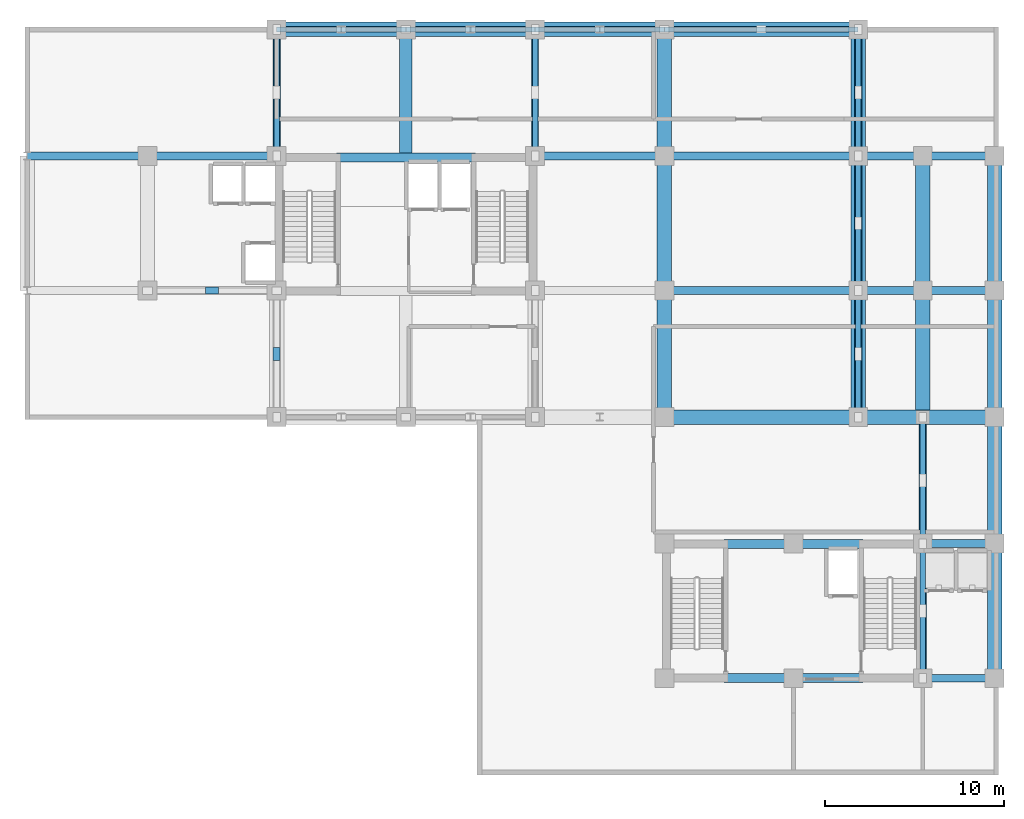
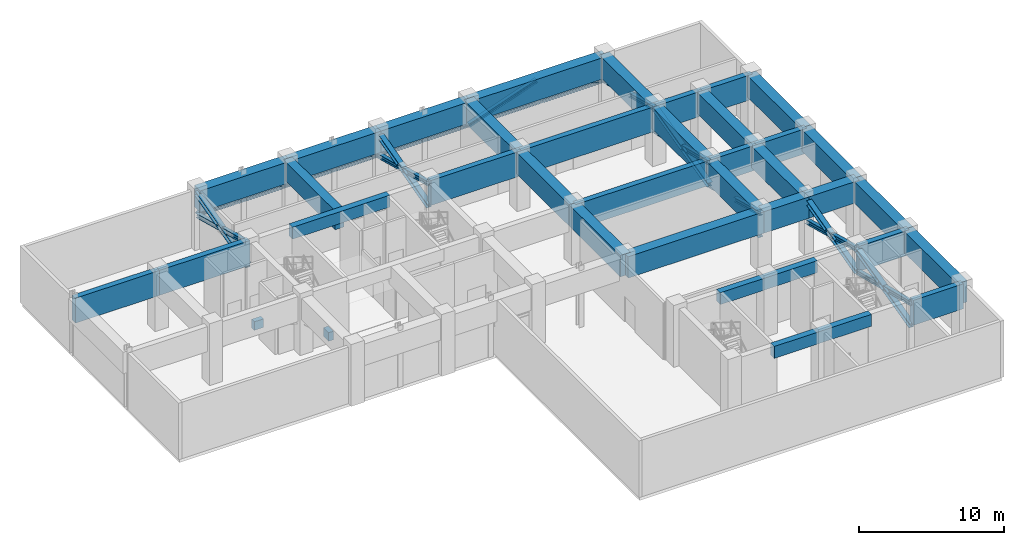
# One storey, part 3 of 10: 34 beams, 33 members, 2 plates.
"""IFC4 building model written with IfcOpenShell, lengths in metres."""

from ifc_helpers import new_model, si_unit, direction, frame, origin, origin_2d, place, context, subcontext, project, spatial, rectangle, i_section, extrude, source, transform, mapped, material, layer, layer_set, material_profile, profile_set, type_object, element, save


model = new_model("IFC4")

# Units and contexts
model_context = context("Model", 3, precision=1e-05, world=origin(), true_north=direction((0.0, 1.0)))
body_context = subcontext(model_context, "Body", "Model", "MODEL_VIEW")
ifc_project = project(units=[si_unit("LENGTHUNIT", "METRE"), si_unit("AREAUNIT", "SQUARE_METRE"), si_unit("VOLUMEUNIT", "CUBIC_METRE"), si_unit("PLANEANGLEUNIT", "RADIAN"), si_unit("MASSUNIT", "GRAM", prefix="KILO")], contexts=[model_context])

# Site, building, storey
site_placement = place(None, origin())
site = spatial("IfcSite", under=ifc_project, at=site_placement, CompositionType="ELEMENT")
building_placement = place(site_placement, origin())
building = spatial("IfcBuilding", under=site, at=building_placement, Name="Kaliganga Portal Commons", CompositionType="ELEMENT")
storey_placement = place(building_placement, frame((0.0, 0.0, 192.0)))
storey = spatial("IfcBuildingStorey", under=building, at=storey_placement, Name="L49", CompositionType="ELEMENT", Elevation=192.0)

# Beams
ifc_material_1 = material(Name="Concrete C50/60", Category="concrete")
ifc_material_profile_1 = material_profile(ifc_material_1, rectangle(XDim=0.5, YDim=1.0, at=origin_2d()), Name="RC 500x1000")
ifc_profile_set_1 = profile_set([ifc_material_profile_1], Name="Concrete C50/60")
beam_type_1 = type_object("IfcBeamType", Name="BM-CPL-1000", PredefinedType="LINTEL", material=ifc_profile_set_1)
shared_shape_1 = source(origin(), body_context, "Body", "SweptSolid", [
    extrude(rectangle(XDim=0.5, YDim=1.0, at=origin_2d()), origin(), (0.0, 0.0, 1.0), 7.739990234375),
])
for number, where, z_axis, x_axis, name in (
    (1, (17.72998046875, 36.074951171875, 4.280029296875), (1.0, 0.0, 0.0), (0.0, 1.0, 0.0), "BM CPL COREA L49 N"),
    (2, (39.330078125, 7.074951171875, 4.280029296875), (1.0, 0.0, 0.0), (0.0, 1.0, 0.0), "BM CPL COREB L49 S"),
    (3, (39.330078125, 14.52490234375, 4.280029296875), (1.0, 0.0, 0.0), (0.0, 1.0, 0.0), "BM CPL COREB L49 N"),
):
    element("IfcBeam", number, at=place(storey_placement, frame(where, z_axis=z_axis, x_axis=x_axis)), inside=storey, type_object=beam_type_1, Name=name, PredefinedType="LINTEL", context=body_context, shape_type="MappedRepresentation", body=[
        mapped(shared_shape_1, transform((0.0, 0.0, 0.0), x_axis=(1.0, 0.0, 0.0), y_axis=(0.0, 1.0, 0.0), z_axis=(0.0, 0.0, 1.0), scale=1.0)),
    ])
ifc_material_2 = material(Name="Concrete C70/85", Category="concrete")
ifc_material_profile_2 = material_profile(ifc_material_2, rectangle(XDim=0.800048828125, YDim=1.800048828125, at=origin_2d()), Name="RC 800x1800")
ifc_profile_set_2 = profile_set([ifc_material_profile_2], Name="Concrete C70/85")
beam_type_2 = type_object("IfcBeamType", Name="BM-XFER-1800", PredefinedType="T_BEAM", material=ifc_profile_set_2)
shared_shape_2 = source(origin(), body_context, "Body", "SweptSolid", [
    extrude(rectangle(XDim=0.800048828125, YDim=1.800048828125, at=origin_2d()), origin(), (0.0, 0.0, 1.0), 7.2001953125),
])
beam_1_placement = place(storey_placement, frame((14.39990234375, 43.199951171875, 3.8798828125), z_axis=(1.0, 0.0, 0.0), x_axis=(0.0, 1.0, 0.0)))
element("IfcBeam", 4, at=beam_1_placement, inside=storey, type_object=beam_type_2, Name="Transfer Girder BM XFER L49 AN 1", PredefinedType="T_BEAM", context=body_context, shape_type="MappedRepresentation", body=[
    mapped(shared_shape_2, transform((0.0, 0.0, 0.0), x_axis=(1.0, 0.0, 0.0), y_axis=(0.0, 1.0, 0.0), z_axis=(0.0, 0.0, 1.0), scale=1.0)),
])
shared_shape_3 = source(origin(), body_context, "Body", "SweptSolid", [
    extrude(rectangle(XDim=0.800048828125, YDim=1.800048828125, at=origin_2d()), origin(), (0.0, 0.0, 1.0), 7.199951171875),
])
for number, where, z_axis, x_axis, name in (
    (5, (21.60009765625, 43.199951171875, 3.8798828125), (1.0, 0.0, 0.0), (0.0, 1.0, 0.0), "Transfer Girder BM XFER L49 AN 2"),
    (6, (28.800048828125, 43.199951171875, 3.8798828125), (1.0, 0.0, 0.0), (0.0, 1.0, 0.0), "Transfer Girder BM XFER L49 AN 3"),
):
    element("IfcBeam", number, at=place(storey_placement, frame(where, z_axis=z_axis, x_axis=x_axis)), inside=storey, type_object=beam_type_2, Name=name, PredefinedType="T_BEAM", context=body_context, shape_type="MappedRepresentation", body=[
        mapped(shared_shape_3, transform((0.0, 0.0, 0.0), x_axis=(1.0, 0.0, 0.0), y_axis=(0.0, 1.0, 0.0), z_axis=(0.0, 0.0, 1.0), scale=1.0)),
    ])
shared_shape_4 = source(origin(), body_context, "Body", "SweptSolid", [
    extrude(rectangle(XDim=0.800048828125, YDim=1.800048828125, at=origin_2d()), origin(), (0.0, 0.0, 1.0), 10.800048828125),
])
for number, where, z_axis, x_axis, name in (
    (7, (36.0, 43.199951171875, 3.8798828125), (1.0, 0.0, 0.0), (0.0, 1.0, 0.0), "Transfer Girder BM XFER L49 AN 4"),
    (8, (36.0, 21.60009765625, 3.8798828125), (1.0, 0.0, 0.0), (0.0, 1.0, 0.0), "Transfer Girder BM XFER L49 ASE 1"),
):
    element("IfcBeam", number, at=place(storey_placement, frame(where, z_axis=z_axis, x_axis=x_axis)), inside=storey, type_object=beam_type_2, Name=name, PredefinedType="T_BEAM", context=body_context, shape_type="MappedRepresentation", body=[
        mapped(shared_shape_4, transform((0.0, 0.0, 0.0), x_axis=(1.0, 0.0, 0.0), y_axis=(0.0, 1.0, 0.0), z_axis=(0.0, 0.0, 1.0), scale=1.0)),
    ])
shared_shape_5 = source(origin(), body_context, "Body", "SweptSolid", [
    extrude(rectangle(XDim=0.800048828125, YDim=1.800048828125, at=origin_2d()), origin(), (0.0, 0.0, 1.0), 3.599853515625),
])
beam_2_placement = place(storey_placement, frame((46.800048828125, 21.60009765625, 3.8798828125), z_axis=(1.0, 0.0, 0.0), x_axis=(0.0, 1.0, 0.0)))
element("IfcBeam", 9, at=beam_2_placement, inside=storey, type_object=beam_type_2, Name="Transfer Girder BM XFER L49 ASE 2", PredefinedType="T_BEAM", context=body_context, shape_type="MappedRepresentation", body=[
    mapped(shared_shape_5, transform((0.0, 0.0, 0.0), x_axis=(1.0, 0.0, 0.0), y_axis=(0.0, 1.0, 0.0), z_axis=(0.0, 0.0, 1.0), scale=1.0)),
])
shared_shape_6 = source(origin(), body_context, "Body", "SweptSolid", [
    extrude(rectangle(XDim=0.800048828125, YDim=1.800048828125, at=origin_2d()), origin(), (0.0, 0.0, 1.0), 4.0),
])
beam_3_placement = place(storey_placement, frame((50.39990234375, 21.60009765625, 3.8798828125), z_axis=(1.0, 0.0, 0.0), x_axis=(0.0, 1.0, 0.0)))
element("IfcBeam", 10, at=beam_3_placement, inside=storey, type_object=beam_type_2, Name="Transfer Girder BM XFER L49 ASE 3", PredefinedType="T_BEAM", context=body_context, shape_type="MappedRepresentation", body=[
    mapped(shared_shape_6, transform((0.0, 0.0, 0.0), x_axis=(1.0, 0.0, 0.0), y_axis=(0.0, 1.0, 0.0), z_axis=(0.0, 0.0, 1.0), scale=1.0)),
])
ifc_material_profile_3 = material_profile(ifc_material_2, rectangle(XDim=0.43994140625, YDim=2.10009765625, at=origin_2d()), Name="RC 440x2100")
ifc_profile_set_3 = profile_set([ifc_material_profile_3], Name="Concrete C70/85")
beam_type_3 = type_object("IfcBeamType", Name="BM-XFER-SLIM", PredefinedType="T_BEAM", material=ifc_profile_set_3)
shared_shape_7 = source(origin(), body_context, "Body", "SweptSolid", [
    extrude(rectangle(XDim=0.43994140625, YDim=2.10009765625, at=origin_2d()), origin(), (0.0, 0.0, 1.0), 7.199951171875),
])
for number, where, z_axis, x_axis, name in (
    (11, (7.199951171875, 36.14990234375, 3.72998046875), (1.0, 0.0, 0.0), (0.0, 1.0, 0.0), "Transfer Girder BM XFER L49 WW2 2"),
    (12, (28.800048828125, 36.14990234375, 3.72998046875), (1.0, 0.0, 0.0), (0.0, 1.0, 0.0), "Transfer Girder BM XFER L49 WE2 1"),
):
    element("IfcBeam", number, at=place(storey_placement, frame(where, z_axis=z_axis, x_axis=x_axis)), inside=storey, type_object=beam_type_3, Name=name, PredefinedType="T_BEAM", context=body_context, shape_type="MappedRepresentation", body=[
        mapped(shared_shape_7, transform((0.0, 0.0, 0.0), x_axis=(1.0, 0.0, 0.0), y_axis=(0.0, 1.0, 0.0), z_axis=(0.0, 0.0, 1.0), scale=1.0)),
    ])
shared_shape_8 = source(origin(), body_context, "Body", "SweptSolid", [
    extrude(rectangle(XDim=0.43994140625, YDim=2.10009765625, at=origin_2d()), origin(), (0.0, 0.0, 1.0), 10.800048828125),
])
for number, where, z_axis, x_axis, name in (
    (13, (36.0, 28.64990234375, 3.72998046875), (1.0, 0.0, 0.0), (0.0, 1.0, 0.0), "Transfer Girder BM XFER L49 WE1 2"),
    (14, (36.0, 36.14990234375, 3.72998046875), (1.0, 0.0, 0.0), (0.0, 1.0, 0.0), "Transfer Girder BM XFER L49 WE2 2"),
):
    element("IfcBeam", number, at=place(storey_placement, frame(where, z_axis=z_axis, x_axis=x_axis)), inside=storey, type_object=beam_type_3, Name=name, PredefinedType="T_BEAM", context=body_context, shape_type="MappedRepresentation", body=[
        mapped(shared_shape_8, transform((0.0, 0.0, 0.0), x_axis=(1.0, 0.0, 0.0), y_axis=(0.0, 1.0, 0.0), z_axis=(0.0, 0.0, 1.0), scale=1.0)),
    ])
shared_shape_9 = source(origin(), body_context, "Body", "SweptSolid", [
    extrude(rectangle(XDim=0.43994140625, YDim=2.10009765625, at=origin_2d()), origin(), (0.0, 0.0, 1.0), 3.599853515625),
])
for number, where, z_axis, x_axis, name in (
    (15, (46.800048828125, 28.64990234375, 3.72998046875), (1.0, 0.0, 0.0), (0.0, 1.0, 0.0), "Transfer Girder BM XFER L49 WE1 3"),
    (16, (46.800048828125, 36.14990234375, 3.72998046875), (1.0, 0.0, 0.0), (0.0, 1.0, 0.0), "Transfer Girder BM XFER L49 WE2 3"),
):
    element("IfcBeam", number, at=place(storey_placement, frame(where, z_axis=z_axis, x_axis=x_axis)), inside=storey, type_object=beam_type_3, Name=name, PredefinedType="T_BEAM", context=body_context, shape_type="MappedRepresentation", body=[
        mapped(shared_shape_9, transform((0.0, 0.0, 0.0), x_axis=(1.0, 0.0, 0.0), y_axis=(0.0, 1.0, 0.0), z_axis=(0.0, 0.0, 1.0), scale=1.0)),
    ])
shared_shape_10 = source(origin(), body_context, "Body", "SweptSolid", [
    extrude(rectangle(XDim=0.43994140625, YDim=2.10009765625, at=origin_2d()), origin(), (0.0, 0.0, 1.0), 4.0),
])
for number, where, z_axis, x_axis, name in (
    (17, (50.39990234375, 28.64990234375, 3.72998046875), (1.0, 0.0, 0.0), (0.0, 1.0, 0.0), "Transfer Girder BM XFER L49 WE1 4"),
    (18, (50.39990234375, 36.14990234375, 3.72998046875), (1.0, 0.0, 0.0), (0.0, 1.0, 0.0), "Transfer Girder BM XFER L49 WE2 4"),
    (19, (50.39990234375, 7.050048828125, 3.72998046875), (1.0, 0.0, 0.0), (0.0, 1.0, 0.0), "Transfer Girder BM XFER L49 WB1"),
    (20, (50.39990234375, 14.550048828125, 3.72998046875), (1.0, 0.0, 0.0), (0.0, 1.0, 0.0), "Transfer Girder BM XFER L49 WB2"),
):
    element("IfcBeam", number, at=place(storey_placement, frame(where, z_axis=z_axis, x_axis=x_axis)), inside=storey, type_object=beam_type_3, Name=name, PredefinedType="T_BEAM", context=body_context, shape_type="MappedRepresentation", body=[
        mapped(shared_shape_10, transform((0.0, 0.0, 0.0), x_axis=(1.0, 0.0, 0.0), y_axis=(0.0, 1.0, 0.0), z_axis=(0.0, 0.0, 1.0), scale=1.0)),
    ])
shared_shape_11 = source(origin(), body_context, "Body", "SweptSolid", [
    extrude(rectangle(XDim=0.800048828125, YDim=1.800048828125, at=origin_2d()), origin(), (0.0, 0.0, 1.0), 7.5),
])
for number, where, z_axis, x_axis, name in (
    (21, (36.0, 28.64990234375, 3.8798828125), (0.0, 1.0, 0.0), (-1.0, 0.0, 0.0), "Transfer Girder BM XFER L49 NS360 4"),
    (22, (46.800048828125, 28.64990234375, 3.8798828125), (0.0, 1.0, 0.0), (-1.0, 0.0, 0.0), "Transfer Girder BM XFER L49 NS468 2"),
    (23, (50.39990234375, 28.64990234375, 3.8798828125), (0.0, 1.0, 0.0), (-1.0, 0.0, 0.0), "Transfer Girder BM XFER L49 NS504 4"),
    (24, (54.39990234375, 7.050048828125, 3.8798828125), (0.0, 1.0, 0.0), (-1.0, 0.0, 0.0), "Transfer Girder BM XFER L49 NS544 1"),
    (25, (54.39990234375, 28.64990234375, 3.8798828125), (0.0, 1.0, 0.0), (-1.0, 0.0, 0.0), "Transfer Girder BM XFER L49 NS544 4"),
):
    element("IfcBeam", number, at=place(storey_placement, frame(where, z_axis=z_axis, x_axis=x_axis)), inside=storey, type_object=beam_type_2, Name=name, PredefinedType="T_BEAM", context=body_context, shape_type="MappedRepresentation", body=[
        mapped(shared_shape_11, transform((0.0, 0.0, 0.0), x_axis=(1.0, 0.0, 0.0), y_axis=(0.0, 1.0, 0.0), z_axis=(0.0, 0.0, 1.0), scale=1.0)),
    ])
shared_shape_12 = source(origin(), body_context, "Body", "SweptSolid", [
    extrude(rectangle(XDim=0.800048828125, YDim=1.800048828125, at=origin_2d()), origin(), (0.0, 0.0, 1.0), 7.0498046875),
])
for number, where, z_axis, x_axis, name in (
    (26, (36.0, 21.60009765625, 3.8798828125), (0.0, 1.0, 0.0), (-1.0, 0.0, 0.0), "Transfer Girder BM XFER L49 NS360 3"),
    (27, (46.800048828125, 21.60009765625, 3.8798828125), (0.0, 1.0, 0.0), (-1.0, 0.0, 0.0), "Transfer Girder BM XFER L49 NS468 1"),
    (28, (50.39990234375, 21.60009765625, 3.8798828125), (0.0, 1.0, 0.0), (-1.0, 0.0, 0.0), "Transfer Girder BM XFER L49 NS504 3"),
    (29, (54.39990234375, 21.60009765625, 3.8798828125), (0.0, 1.0, 0.0), (-1.0, 0.0, 0.0), "Transfer Girder BM XFER L49 NS544 3"),
):
    element("IfcBeam", number, at=place(storey_placement, frame(where, z_axis=z_axis, x_axis=x_axis)), inside=storey, type_object=beam_type_2, Name=name, PredefinedType="T_BEAM", context=body_context, shape_type="MappedRepresentation", body=[
        mapped(shared_shape_12, transform((0.0, 0.0, 0.0), x_axis=(1.0, 0.0, 0.0), y_axis=(0.0, 1.0, 0.0), z_axis=(0.0, 0.0, 1.0), scale=1.0)),
    ])
shared_shape_13 = source(origin(), body_context, "Body", "SweptSolid", [
    extrude(rectangle(XDim=0.800048828125, YDim=1.800048828125, at=origin_2d()), origin(), (0.0, 0.0, 1.0), 7.050048828125),
])
for number, where, z_axis, x_axis, name in (
    (30, (36.0, 36.14990234375, 3.8798828125), (0.0, 1.0, 0.0), (-1.0, 0.0, 0.0), "Transfer Girder BM XFER L49 NS360 5"),
    (31, (46.800048828125, 36.14990234375, 3.8798828125), (0.0, 1.0, 0.0), (-1.0, 0.0, 0.0), "Transfer Girder BM XFER L49 NS468 3"),
    (32, (54.39990234375, 14.550048828125, 3.8798828125), (0.0, 1.0, 0.0), (-1.0, 0.0, 0.0), "Transfer Girder BM XFER L49 NS544 2"),
):
    element("IfcBeam", number, at=place(storey_placement, frame(where, z_axis=z_axis, x_axis=x_axis)), inside=storey, type_object=beam_type_2, Name=name, PredefinedType="T_BEAM", context=body_context, shape_type="MappedRepresentation", body=[
        mapped(shared_shape_13, transform((0.0, 0.0, 0.0), x_axis=(1.0, 0.0, 0.0), y_axis=(0.0, 1.0, 0.0), z_axis=(0.0, 0.0, 1.0), scale=1.0)),
    ])

# Members
ifc_material_3 = material(Name="Structural steel S460M", Category="steel")
ifc_material_profile_4 = material_profile(ifc_material_3, i_section(OverallWidth=0.300048828125, OverallDepth=0.360107421875, WebThickness=0.012451171875, FlangeThickness=0.0224609375, FilletRadius=0.027099609375, at=origin_2d()), Name="HE 360 B")
ifc_profile_set_4 = profile_set([ifc_material_profile_4], Name="Structural steel S460M wide-flange")
member_type_1 = type_object("IfcMemberType", Name="MBR-BELT-360", PredefinedType="BRACE", material=ifc_profile_set_4)
shared_shape_14 = source(origin(), body_context, "Body", "SweptSolid", [
    extrude(i_section(OverallWidth=0.300048828125, OverallDepth=0.360107421875, WebThickness=0.012451171875, FlangeThickness=0.0224609375, FilletRadius=0.027099609375, at=origin_2d()), origin(), (0.0, 0.0, 1.0), 3.648193359375),
])
for number, where, z_axis, x_axis, name in (
    (33, (14.39990234375, 36.14990234375, 4.429931640625), (0.0, 0.966241603398, -0.257637660024), (-1.0, 0.0, 0.0), "Outrigger Split Counter-Diagonal OT-L49-04B1"),
    (34, (14.39990234375, 39.675048828125, 3.489990234375), (0.0, 0.966237161082, -0.257654319862), (-1.0, 0.0, 0.0), "Outrigger Split Counter-Diagonal OT-L49-04B2"),
    (35, (28.800048828125, 36.14990234375, 4.429931640625), (0.0, 0.966241603398, -0.257637660024), (-1.0, 0.0, 0.0), "Outrigger Split Counter-Diagonal OT-L49-05B1"),
    (36, (28.800048828125, 39.675048828125, 3.489990234375), (0.0, 0.966237161082, -0.257654319862), (-1.0, 0.0, 0.0), "Outrigger Split Counter-Diagonal OT-L49-05B2"),
    (37, (46.800048828125, 21.60009765625, 4.429931640625), (0.0, 0.966237161082, -0.257654319862), (-1.0, 0.0, 0.0), "Outrigger Split Counter-Diagonal OT-L49-06B1"),
    (38, (46.800048828125, 25.125, 3.489990234375), (0.0, 0.966237161082, -0.257654319862), (-1.0, 0.0, 0.0), "Outrigger Split Counter-Diagonal OT-L49-06B2"),
    (39, (46.800048828125, 36.14990234375, 4.429931640625), (0.0, 0.966241603398, -0.257637660024), (-1.0, 0.0, 0.0), "Outrigger Split Counter-Diagonal OT-L49-08B1"),
    (40, (46.800048828125, 39.675048828125, 3.489990234375), (0.0, 0.966237161082, -0.257654319862), (-1.0, 0.0, 0.0), "Outrigger Split Counter-Diagonal OT-L49-08B2"),
    (41, (50.39990234375, 14.550048828125, 4.429931640625), (0.0, 0.966237161082, -0.257654319862), (-1.0, 0.0, 0.0), "Outrigger Split Counter-Diagonal OT-L49-10B1"),
    (42, (50.39990234375, 18.074951171875, 3.489990234375), (0.0, 0.966241603398, -0.257637660024), (-1.0, 0.0, 0.0), "Outrigger Split Counter-Diagonal OT-L49-10B2"),
):
    element("IfcMember", number, at=place(storey_placement, frame(where, z_axis=z_axis, x_axis=x_axis)), inside=storey, type_object=member_type_1, Name=name, PredefinedType="BRACE", context=body_context, shape_type="MappedRepresentation", body=[
        mapped(shared_shape_14, transform((0.0, 0.0, 0.0), x_axis=(1.0, 0.0, 0.0), y_axis=(0.0, 1.0, 0.0), z_axis=(0.0, 0.0, 1.0), scale=1.0)),
    ])
shared_shape_15 = source(origin(), body_context, "Body", "SweptSolid", [
    extrude(i_section(OverallWidth=0.300048828125, OverallDepth=0.360107421875, WebThickness=0.012451171875, FlangeThickness=0.0224609375, FilletRadius=0.027099609375, at=origin_2d()), origin(), (0.0, 0.0, 1.0), 3.865966796875),
])
for number, where, z_axis, x_axis, name in (
    (43, (46.800048828125, 28.64990234375, 4.429931640625), (0.0, 0.969993728352, -0.243129938422), (-1.0, 0.0, 0.0), "Outrigger Split Counter-Diagonal OT-L49-07B1"),
    (44, (46.800048828125, 32.39990234375, 3.489990234375), (0.0, 0.969993728352, -0.243129938422), (-1.0, 0.0, 0.0), "Outrigger Split Counter-Diagonal OT-L49-07B2"),
    (45, (50.39990234375, 7.050048828125, 4.429931640625), (0.0, 0.969993728352, -0.243129938422), (-1.0, 0.0, 0.0), "Outrigger Split Counter-Diagonal OT-L49-09B1"),
    (46, (50.39990234375, 10.800048828125, 3.489990234375), (0.0, 0.969993728352, -0.243129938422), (-1.0, 0.0, 0.0), "Outrigger Split Counter-Diagonal OT-L49-09B2"),
):
    element("IfcMember", number, at=place(storey_placement, frame(where, z_axis=z_axis, x_axis=x_axis)), inside=storey, type_object=member_type_1, Name=name, PredefinedType="BRACE", context=body_context, shape_type="MappedRepresentation", body=[
        mapped(shared_shape_15, transform((0.0, 0.0, 0.0), x_axis=(1.0, 0.0, 0.0), y_axis=(0.0, 1.0, 0.0), z_axis=(0.0, 0.0, 1.0), scale=1.0)),
    ])
ifc_material_profile_5 = material_profile(ifc_material_3, i_section(OverallWidth=0.300048828125, OverallDepth=0.300048828125, WebThickness=0.010986328125, FlangeThickness=0.01904296875, FilletRadius=0.027099609375, at=origin_2d()), Name="HE 300 B")
ifc_profile_set_5 = profile_set([ifc_material_profile_5], Name="Structural steel S460M wide-flange")
member_type_2 = type_object("IfcMemberType", Name="MBR-BELT-300", PredefinedType="BRACE", material=ifc_profile_set_5)
shared_shape_16 = source(origin(), body_context, "Body", "SweptSolid", [
    extrude(i_section(OverallWidth=0.300048828125, OverallDepth=0.300048828125, WebThickness=0.010986328125, FlangeThickness=0.01904296875, FilletRadius=0.027099609375, at=origin_2d()), origin(), (0.0, 0.0, 1.0), 4.061279296875),
])
for number, where, z_axis, x_axis, name in (
    (47, (14.39990234375, 43.199951171875, 2.550048828125), (0.886426160046, 0.0, 0.462870027964), (0.0, 1.0, 0.0), "Belt Truss Diagonal BT-L49-01L"),
    (48, (21.60009765625, 43.199951171875, 2.550048828125), (-0.886426160046, 0.0, 0.462870027964), (0.0, -1.0, 0.0), "Belt Truss Diagonal BT-L49-01R"),
    (49, (28.800048828125, 43.199951171875, 2.550048828125), (-0.886426160046, 0.0, 0.462870027964), (0.0, -1.0, 0.0), "Belt Truss Diagonal BT-L49-02R"),
    (50, (36.0, 43.199951171875, 2.550048828125), (-0.886426160046, 0.0, 0.462870027964), (0.0, -1.0, 0.0), "Belt Truss Diagonal BT-L49-03R"),
):
    element("IfcMember", number, at=place(storey_placement, frame(where, z_axis=z_axis, x_axis=x_axis)), inside=storey, type_object=member_type_2, Name=name, PredefinedType="BRACE", context=body_context, shape_type="MappedRepresentation", body=[
        mapped(shared_shape_16, transform((0.0, 0.0, 0.0), x_axis=(1.0, 0.0, 0.0), y_axis=(0.0, 1.0, 0.0), z_axis=(0.0, 0.0, 1.0), scale=1.0)),
    ])
shared_shape_17 = source(origin(), body_context, "Body", "SweptSolid", [
    extrude(i_section(OverallWidth=0.300048828125, OverallDepth=0.300048828125, WebThickness=0.010986328125, FlangeThickness=0.01904296875, FilletRadius=0.027099609375, at=origin_2d()), origin(), (0.0, 0.0, 1.0), 5.7177734375),
])
member_1_placement = place(storey_placement, frame((36.0, 43.199951171875, 2.550048828125), z_axis=(0.94440689997, 0.0, 0.328778964182), x_axis=(0.0, 1.0, 0.0)))
element("IfcMember", 51, at=member_1_placement, inside=storey, type_object=member_type_2, Name="Belt Truss Diagonal BT-L49-04L", PredefinedType="BRACE", context=body_context, shape_type="MappedRepresentation", body=[
    mapped(shared_shape_17, transform((0.0, 0.0, 0.0), x_axis=(1.0, 0.0, 0.0), y_axis=(0.0, 1.0, 0.0), z_axis=(0.0, 0.0, 1.0), scale=1.0)),
])
shared_shape_18 = source(origin(), body_context, "Body", "SweptSolid", [
    extrude(i_section(OverallWidth=0.300048828125, OverallDepth=0.300048828125, WebThickness=0.010986328125, FlangeThickness=0.01904296875, FilletRadius=0.027099609375, at=origin_2d()), origin(), (0.0, 0.0, 1.0), 5.718017578125),
])
member_2_placement = place(storey_placement, frame((46.800048828125, 43.199951171875, 2.550048828125), z_axis=(-0.944411515219, 0.0, 0.328765706731), x_axis=(0.0, -1.0, 0.0)))
element("IfcMember", 52, at=member_2_placement, inside=storey, type_object=member_type_2, Name="Belt Truss Diagonal BT-L49-04R", PredefinedType="BRACE", context=body_context, shape_type="MappedRepresentation", body=[
    mapped(shared_shape_18, transform((0.0, 0.0, 0.0), x_axis=(1.0, 0.0, 0.0), y_axis=(0.0, 1.0, 0.0), z_axis=(0.0, 0.0, 1.0), scale=1.0)),
])
ifc_material_profile_6 = material_profile(ifc_material_3, i_section(OverallWidth=0.40087890625, OverallDepth=0.406005859375, WebThickness=0.018798828125, FlangeThickness=0.025390625, FilletRadius=0.014892578125, at=origin_2d()), Name="HD 400x314")
ifc_profile_set_6 = profile_set([ifc_material_profile_6], Name="Structural steel S460M wide-flange")
member_type_3 = type_object("IfcMemberType", Name="MBR-OUTRIG-382", PredefinedType="USERDEFINED", material=ifc_profile_set_6)
shared_shape_19 = source(origin(), body_context, "Body", "SweptSolid", [
    extrude(i_section(OverallWidth=0.40087890625, OverallDepth=0.406005859375, WebThickness=0.018798828125, FlangeThickness=0.025390625, FilletRadius=0.014892578125, at=origin_2d()), origin(), (0.0, 0.0, 1.0), 7.296142578125),
])
member_3_placement = place(storey_placement, frame((46.800048828125, 21.60009765625, 2.550048828125), z_axis=(0.0, 0.966237161082, 0.257654319862), x_axis=(-1.0, 0.0, 0.0)))
element("IfcMember", 53, at=member_3_placement, inside=storey, type_object=member_type_3, Name="Outrigger Strut OT-L49-06A", ObjectType="OUTRIGGER", PredefinedType="USERDEFINED", context=body_context, shape_type="MappedRepresentation", body=[
    mapped(shared_shape_19, transform((0.0, 0.0, 0.0), x_axis=(1.0, 0.0, 0.0), y_axis=(0.0, 1.0, 0.0), z_axis=(0.0, 0.0, 1.0), scale=1.0)),
])
shared_shape_20 = source(origin(), body_context, "Body", "SweptSolid", [
    extrude(i_section(OverallWidth=0.40087890625, OverallDepth=0.406005859375, WebThickness=0.018798828125, FlangeThickness=0.025390625, FilletRadius=0.014892578125, at=origin_2d()), origin(), (0.0, 0.0, 1.0), 7.29638671875),
])
for number, where, z_axis, x_axis, name in (
    (54, (14.39990234375, 36.14990234375, 2.550048828125), (0.0, 0.966239382348, 0.257645989683), (-1.0, 0.0, 0.0), "Outrigger Strut OT-L49-04A"),
    (55, (28.800048828125, 36.14990234375, 2.550048828125), (0.0, 0.966239382348, 0.257645989683), (-1.0, 0.0, 0.0), "Outrigger Strut OT-L49-05A"),
    (56, (46.800048828125, 36.14990234375, 2.550048828125), (0.0, 0.966239382348, 0.257645989683), (-1.0, 0.0, 0.0), "Outrigger Strut OT-L49-08A"),
    (57, (50.39990234375, 14.550048828125, 2.550048828125), (0.0, 0.966239382348, 0.257645989683), (-1.0, 0.0, 0.0), "Outrigger Strut OT-L49-10A"),
):
    element("IfcMember", number, at=place(storey_placement, frame(where, z_axis=z_axis, x_axis=x_axis)), inside=storey, type_object=member_type_3, Name=name, ObjectType="OUTRIGGER", PredefinedType="USERDEFINED", context=body_context, shape_type="MappedRepresentation", body=[
        mapped(shared_shape_20, transform((0.0, 0.0, 0.0), x_axis=(1.0, 0.0, 0.0), y_axis=(0.0, 1.0, 0.0), z_axis=(0.0, 0.0, 1.0), scale=1.0)),
    ])
ifc_material_profile_7 = material_profile(ifc_material_3, i_section(OverallWidth=0.260009765625, OverallDepth=0.25, WebThickness=0.007568359375, FlangeThickness=0.012451171875, FilletRadius=0.02392578125, at=origin_2d()), Name="HE 260 A")
ifc_profile_set_7 = profile_set([ifc_material_profile_7], Name="Structural steel S460M wide-flange")
member_type_4 = type_object("IfcMemberType", Name="MBR-CHORD-260A", PredefinedType="CHORD", material=ifc_profile_set_7)
shared_shape_21 = source(origin(), body_context, "Body", "SweptSolid", [
    extrude(i_section(OverallWidth=0.260009765625, OverallDepth=0.25, WebThickness=0.007568359375, FlangeThickness=0.012451171875, FilletRadius=0.02392578125, at=origin_2d()), origin(), (0.0, 0.0, 1.0), 7.2001953125),
])
member_4_placement = place(storey_placement, frame((14.39990234375, 43.199951171875, 2.550048828125), z_axis=(1.0, 0.0, 0.0), x_axis=(0.0, 1.0, 0.0)))
element("IfcMember", 58, at=member_4_placement, inside=storey, type_object=member_type_4, Name="Belt Truss Bottom Chord CHD-L49-01", PredefinedType="CHORD", context=body_context, shape_type="MappedRepresentation", body=[
    mapped(shared_shape_21, transform((0.0, 0.0, 0.0), x_axis=(1.0, 0.0, 0.0), y_axis=(0.0, 1.0, 0.0), z_axis=(0.0, 0.0, 1.0), scale=1.0)),
])
shared_shape_22 = source(origin(), body_context, "Body", "SweptSolid", [
    extrude(i_section(OverallWidth=0.260009765625, OverallDepth=0.25, WebThickness=0.007568359375, FlangeThickness=0.012451171875, FilletRadius=0.02392578125, at=origin_2d()), origin(), (0.0, 0.0, 1.0), 7.199951171875),
])
for number, where, z_axis, x_axis, name in (
    (59, (21.60009765625, 43.199951171875, 2.550048828125), (1.0, 0.0, 0.0), (0.0, 1.0, 0.0), "Belt Truss Bottom Chord CHD-L49-02"),
    (60, (28.800048828125, 43.199951171875, 2.550048828125), (1.0, 0.0, 0.0), (0.0, 1.0, 0.0), "Belt Truss Bottom Chord CHD-L49-03"),
):
    element("IfcMember", number, at=place(storey_placement, frame(where, z_axis=z_axis, x_axis=x_axis)), inside=storey, type_object=member_type_4, Name=name, PredefinedType="CHORD", context=body_context, shape_type="MappedRepresentation", body=[
        mapped(shared_shape_22, transform((0.0, 0.0, 0.0), x_axis=(1.0, 0.0, 0.0), y_axis=(0.0, 1.0, 0.0), z_axis=(0.0, 0.0, 1.0), scale=1.0)),
    ])
shared_shape_23 = source(origin(), body_context, "Body", "SweptSolid", [
    extrude(i_section(OverallWidth=0.260009765625, OverallDepth=0.25, WebThickness=0.007568359375, FlangeThickness=0.012451171875, FilletRadius=0.02392578125, at=origin_2d()), origin(), (0.0, 0.0, 1.0), 10.800048828125),
])
member_5_placement = place(storey_placement, frame((36.0, 43.199951171875, 2.550048828125), z_axis=(1.0, 0.0, 0.0), x_axis=(0.0, 1.0, 0.0)))
element("IfcMember", 61, at=member_5_placement, inside=storey, type_object=member_type_4, Name="Belt Truss Bottom Chord CHD-L49-04", PredefinedType="CHORD", context=body_context, shape_type="MappedRepresentation", body=[
    mapped(shared_shape_23, transform((0.0, 0.0, 0.0), x_axis=(1.0, 0.0, 0.0), y_axis=(0.0, 1.0, 0.0), z_axis=(0.0, 0.0, 1.0), scale=1.0)),
])

# Beams
shared_shape_24 = source(origin(), body_context, "Body", "SweptSolid", [
    extrude(rectangle(XDim=0.43994140625, YDim=2.10009765625, at=origin_2d()), origin(), (0.0, 0.0, 1.0), 6.699951171875),
])
beam_4_placement = place(storey_placement, frame((0.5, 36.14990234375, 3.72998046875), z_axis=(1.0, 0.0, 0.0), x_axis=(0.0, 1.0, 0.0)))
element("IfcBeam", 62, at=beam_4_placement, inside=storey, type_object=beam_type_3, Name="Transfer Girder BM XFER L49 WW2 1", PredefinedType="T_BEAM", context=body_context, shape_type="MappedRepresentation", body=[
    mapped(shared_shape_24, transform((0.0, 0.0, 0.0), x_axis=(1.0, 0.0, 0.0), y_axis=(0.0, 1.0, 0.0), z_axis=(0.0, 0.0, 1.0), scale=1.0)),
])
ifc_material_4 = material(Name="Concrete C60/75", Category="concrete")
ifc_material_profile_8 = material_profile(ifc_material_4, rectangle(XDim=0.699951171875, YDim=1.60009765625, at=origin_2d()), Name="RC 700x1600")
ifc_profile_set_8 = profile_set([ifc_material_profile_8], Name="Concrete C60/75")
beam_type_4 = type_object("IfcBeamType", Name="BM-XFER-1600", PredefinedType="T_BEAM", material=ifc_profile_set_8)
shared_shape_25 = source(origin(), body_context, "Body", "SweptSolid", [
    extrude(rectangle(XDim=0.699951171875, YDim=1.60009765625, at=origin_2d()), origin(), (0.0, 0.0, 1.0), 7.125),
])
beam_5_placement = place(storey_placement, frame((21.60009765625, 36.074951171875, 3.97998046875), z_axis=(0.0, 1.0, 0.0), x_axis=(-1.0, 0.0, 0.0)))
element("IfcBeam", 63, at=beam_5_placement, inside=storey, type_object=beam_type_4, Name="Transfer Girder BM XFER L49 CAN216", PredefinedType="T_BEAM", context=body_context, shape_type="MappedRepresentation", body=[
    mapped(shared_shape_25, transform((0.0, 0.0, 0.0), x_axis=(1.0, 0.0, 0.0), y_axis=(0.0, 1.0, 0.0), z_axis=(0.0, 0.0, 1.0), scale=1.0)),
])

# Members
shared_shape_26 = source(origin(), body_context, "Body", "SweptSolid", [
    extrude(i_section(OverallWidth=0.40087890625, OverallDepth=0.406005859375, WebThickness=0.018798828125, FlangeThickness=0.025390625, FilletRadius=0.014892578125, at=origin_2d()), origin(), (0.0, 0.0, 1.0), 7.73193359375),
])
for number, where, z_axis, x_axis, name in (
    (64, (46.800048828125, 28.64990234375, 2.550048828125), (0.0, 0.969993728352, 0.243129938422), (-1.0, 0.0, 0.0), "Outrigger Strut OT-L49-07A"),
    (65, (50.39990234375, 7.050048828125, 2.550048828125), (0.0, 0.969993728352, 0.243129938422), (-1.0, 0.0, 0.0), "Outrigger Strut OT-L49-09A"),
):
    element("IfcMember", number, at=place(storey_placement, frame(where, z_axis=z_axis, x_axis=x_axis)), inside=storey, type_object=member_type_3, Name=name, ObjectType="OUTRIGGER", PredefinedType="USERDEFINED", context=body_context, shape_type="MappedRepresentation", body=[
        mapped(shared_shape_26, transform((0.0, 0.0, 0.0), x_axis=(1.0, 0.0, 0.0), y_axis=(0.0, 1.0, 0.0), z_axis=(0.0, 0.0, 1.0), scale=1.0)),
    ])
shared_shape_27 = source(origin(), body_context, "Body", "SweptSolid", [
    extrude(i_section(OverallWidth=0.300048828125, OverallDepth=0.300048828125, WebThickness=0.010986328125, FlangeThickness=0.01904296875, FilletRadius=0.027099609375, at=origin_2d()), origin(), (0.0, 0.0, 1.0), 4.06103515625),
])
for number, where, z_axis, x_axis, name in (
    (66, (21.60009765625, 43.199951171875, 2.550048828125), (0.886413279888, 0.0, 0.462894693465), (0.0, 1.0, 0.0), "Belt Truss Diagonal BT-L49-02L"),
    (67, (28.800048828125, 43.199951171875, 2.550048828125), (0.886413279888, 0.0, 0.462894693465), (0.0, 1.0, 0.0), "Belt Truss Diagonal BT-L49-03L"),
):
    element("IfcMember", number, at=place(storey_placement, frame(where, z_axis=z_axis, x_axis=x_axis)), inside=storey, type_object=member_type_2, Name=name, PredefinedType="BRACE", context=body_context, shape_type="MappedRepresentation", body=[
        mapped(shared_shape_27, transform((0.0, 0.0, 0.0), x_axis=(1.0, 0.0, 0.0), y_axis=(0.0, 1.0, 0.0), z_axis=(0.0, 0.0, 1.0), scale=1.0)),
    ])

# Plates
ifc_layer = layer(ifc_material_3, 0.031982421875)
ifc_layer_set = layer_set([ifc_layer], Name="Structural steel S460M")
plate_type = type_object("IfcPlateType", Name="PLT-GUSSET-32", PredefinedType="USERDEFINED", material=ifc_layer_set)
shared_shape_28 = source(origin(), body_context, "Body", "SweptSolid", [
    extrude(rectangle(XDim=0.719970703125, YDim=0.3798828125, at=origin_2d()), origin(), (0.0, 0.0, 1.0), 0.719970703125),
])
for number, where, z_axis, x_axis, name in (
    (68, (10.800048828125, 28.64990234375, 3.1298828125), (0.0, 0.0, 1.0), (-1.0, 0.0, 0.0), "Outrigger Crossing Gusset Plate GP-L49-01"),
    (69, (14.39990234375, 25.125, 3.1298828125), (0.0, 0.0, 1.0), (0.0, -1.0, 0.0), "Outrigger Crossing Gusset Plate GP-L49-02"),
):
    element("IfcPlate", number, at=place(storey_placement, frame(where, z_axis=z_axis, x_axis=x_axis)), inside=storey, type_object=plate_type, Name=name, ObjectType="GUSSET PLATE", PredefinedType="USERDEFINED", context=body_context, shape_type="MappedRepresentation", body=[
        mapped(shared_shape_28, transform((0.0, 0.0, 0.0), x_axis=(1.0, 0.0, 0.0), y_axis=(0.0, 1.0, 0.0), z_axis=(0.0, 0.0, 1.0), scale=1.0)),
    ])

save(model, "model.ifc")
